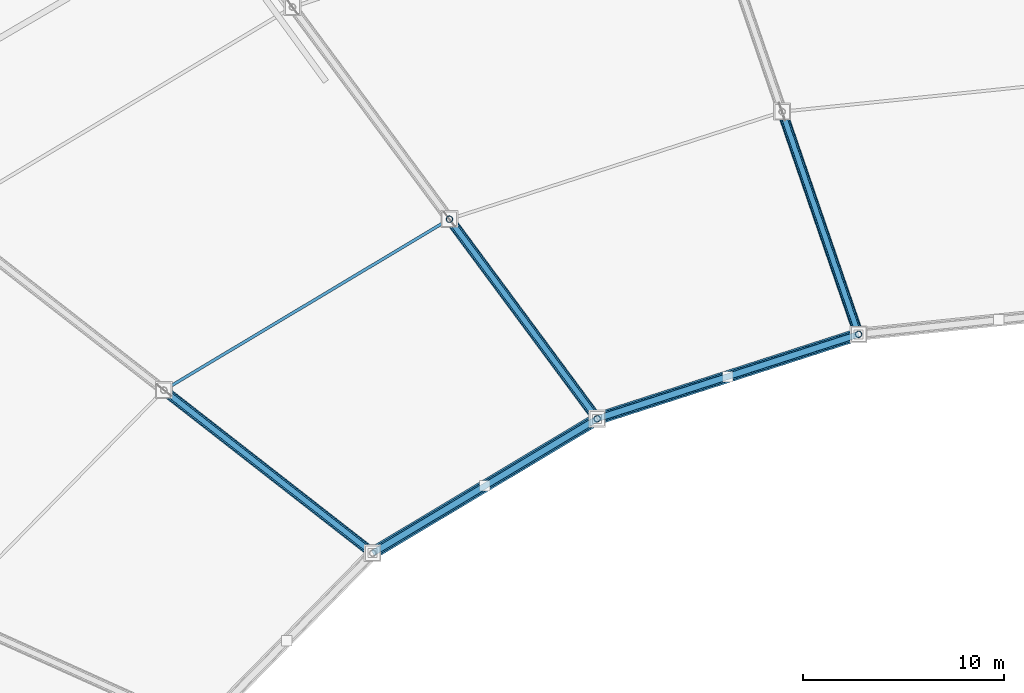
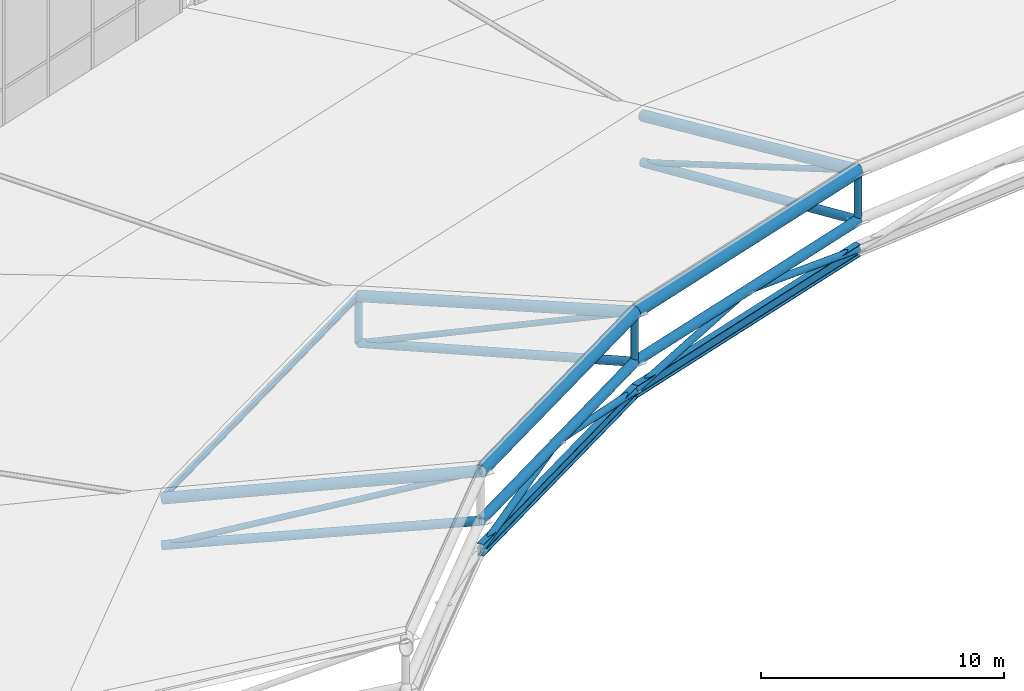
# One storey, part 32 of 115: 21 members, 2 beams.
"""IFC4 building model written with IfcOpenShell, lengths in metres."""

from ifc_helpers import new_model, si_unit, direction, frame, origin, origin_2d, place, context, subcontext, project, spatial, hollow_circle, i_section, extrude, material, material_profile, profile_set, type_object, element, save


model = new_model("IFC4")

# Units and contexts
model_context = context("Model", 3, precision=1e-05, world=origin(), true_north=direction((0.0, 1.0)))
body_context = subcontext(model_context, "Body", "Model", "MODEL_VIEW")
ifc_project = project(units=[si_unit("LENGTHUNIT", "METRE"), si_unit("AREAUNIT", "SQUARE_METRE"), si_unit("VOLUMEUNIT", "CUBIC_METRE"), si_unit("PLANEANGLEUNIT", "RADIAN"), si_unit("MASSUNIT", "GRAM", prefix="KILO")], contexts=[model_context])

# Site, building, storey
site_placement = place(None, origin())
site = spatial("IfcSite", under=ifc_project, at=site_placement, CompositionType="ELEMENT")
building_placement = place(site_placement, origin())
building = spatial("IfcBuilding", under=site, at=building_placement, Name="Zlatoyarsky Gate Stadium", CompositionType="ELEMENT")
storey_placement = place(building_placement, frame((0.0, 0.0, 31.800048828125)))
storey = spatial("IfcBuildingStorey", under=building, at=storey_placement, Name="RF", CompositionType="ELEMENT", Elevation=31.800048828125)

# Members
ifc_material = material(Name="Steel S355", Category="steel")
ifc_material_profile_1 = material_profile(ifc_material, hollow_circle(Radius=0.228515625, WallThickness=0.02490234375, at=origin_2d()), Name="CHS 457X25")
ifc_profile_set_1 = profile_set([ifc_material_profile_1], Name="Steel S355")
member_type_1 = type_object("IfcMemberType", Name="STEEL ARCH BOTTOM CHORD CHS 457X25", PredefinedType="CHORD", material=ifc_profile_set_1)
member_1_placement = place(storey_placement, frame((97.02001953125, 120.69921875, 6.449951171875), z_axis=(-0.951563800973, -0.307451350098, 0.0), x_axis=(0.307451350098, -0.951563800973, 0.0)))
element("IfcMember", 1, at=member_1_placement, inside=storey, type_object=member_type_1, Name="Inner tension ring bottom chord 07", PredefinedType="CHORD", context=body_context, shape_type="SweptSolid", body=[
    extrude(hollow_circle(Radius=0.228515625, WallThickness=0.02490234375, at=origin_2d()), origin(), (0.0, 0.0, 1.0), 13.690673828125),
])
member_2_placement = place(storey_placement, frame((83.992431640625, 116.489990234375, 6.449951171875), z_axis=(-0.85803439637, -0.513592226037, 0.0), x_axis=(0.513592226037, -0.85803439637, 0.0)))
element("IfcMember", 2, at=member_2_placement, inside=storey, type_object=member_type_1, Name="Inner tension ring bottom chord 08", PredefinedType="CHORD", context=body_context, shape_type="SweptSolid", body=[
    extrude(hollow_circle(Radius=0.228515625, WallThickness=0.02490234375, at=origin_2d()), origin(), (0.0, 0.0, 1.0), 13.03759765625),
])
ifc_material_profile_2 = material_profile(ifc_material, hollow_circle(Radius=0.203125, WallThickness=0.02001953125, at=origin_2d()), Name="CHS 406.4X20")
ifc_profile_set_2 = profile_set([ifc_material_profile_2], Name="Steel S355")
member_type_2 = type_object("IfcMemberType", Name="STEEL ARCH INNER CHORD CHS 406.4X20", PredefinedType="CHORD", material=ifc_profile_set_2)
member_3_placement = place(storey_placement, frame((93.208984375, 131.79345703125, 3.949951171875), z_axis=(0.317745051652, -0.924982103597, 0.208437497048), x_axis=(0.945754959233, 0.32488083521, 0.0)))
element("IfcMember", 3, at=member_3_placement, inside=storey, type_object=member_type_2, Name="Radial truss R08 bottom chord 3", PredefinedType="CHORD", context=body_context, shape_type="SweptSolid", body=[
    extrude(hollow_circle(Radius=0.203125, WallThickness=0.02001953125, at=origin_2d()), origin(), (0.0, 0.0, 1.0), 11.993896484375),
])
member_4_placement = place(storey_placement, frame((76.630615234375, 126.436767578125, 3.949951171875), z_axis=(0.583124971914, -0.787878145709, 0.198023469934), x_axis=(0.803795483577, 0.594905724112, 0.0)))
element("IfcMember", 4, at=member_4_placement, inside=storey, type_object=member_type_2, Name="Radial truss R09 bottom chord 3", PredefinedType="CHORD", context=body_context, shape_type="SweptSolid", body=[
    extrude(hollow_circle(Radius=0.203125, WallThickness=0.02001953125, at=origin_2d()), origin(), (0.0, 0.0, 1.0), 12.624755859375),
])
member_5_placement = place(storey_placement, frame((62.394287109375, 117.91552734375, 3.949951171875), z_axis=(0.774713357375, -0.604329101804, 0.186025671932), x_axis=(0.615065134986, 0.788476302576, 0.0)))
element("IfcMember", 5, at=member_5_placement, inside=storey, type_object=member_type_2, Name="Radial truss R10 bottom chord 3", PredefinedType="CHORD", context=body_context, shape_type="SweptSolid", body=[
    extrude(hollow_circle(Radius=0.203125, WallThickness=0.02001953125, at=origin_2d()), origin(), (0.0, 0.0, 1.0), 13.43896484375),
])
ifc_material_profile_3 = material_profile(ifc_material, hollow_circle(Radius=0.25390625, WallThickness=0.02490234375, at=origin_2d()), Name="CHS 508X25")
ifc_profile_set_3 = profile_set([ifc_material_profile_3], Name="Steel S355")
member_type_3 = type_object("IfcMemberType", Name="STEEL ARCH TOP CHORD CHS 508X25", PredefinedType="CHORD", material=ifc_profile_set_3)
member_6_placement = place(storey_placement, frame((93.208984375, 131.79345703125, 6.300048828125), z_axis=(0.316895901971, -0.922510158704, 0.220345171044), x_axis=(0.945754959233, 0.32488083521, 0.0)))
element("IfcMember", 6, at=member_6_placement, inside=storey, type_object=member_type_3, Name="Radial truss R08 top chord 3", PredefinedType="CHORD", context=body_context, shape_type="SweptSolid", body=[
    extrude(hollow_circle(Radius=0.25390625, WallThickness=0.02490234375, at=origin_2d()), origin(), (0.0, 0.0, 1.0), 12.026123046875),
])
member_7_placement = place(storey_placement, frame((76.630615234375, 126.436767578125, 6.300048828125), z_axis=(0.581717893715, -0.785976998931, 0.209390661882), x_axis=(0.803795483577, 0.594905724112, 0.0)))
element("IfcMember", 7, at=member_7_placement, inside=storey, type_object=member_type_3, Name="Radial truss R09 top chord 3", PredefinedType="CHORD", context=body_context, shape_type="SweptSolid", body=[
    extrude(hollow_circle(Radius=0.25390625, WallThickness=0.02490234375, at=origin_2d()), origin(), (0.0, 0.0, 1.0), 12.6552734375),
])
member_8_placement = place(storey_placement, frame((62.394287109375, 117.91552734375, 6.300048828125), z_axis=(0.773062936618, -0.60304166138, 0.196759880738), x_axis=(0.615065134986, 0.788476302576, 0.0)))
element("IfcMember", 8, at=member_8_placement, inside=storey, type_object=member_type_3, Name="Radial truss R10 top chord 3", PredefinedType="CHORD", context=body_context, shape_type="SweptSolid", body=[
    extrude(hollow_circle(Radius=0.25390625, WallThickness=0.02490234375, at=origin_2d()), origin(), (0.0, 0.0, 1.0), 13.4677734375),
])
ifc_material_profile_4 = material_profile(ifc_material, i_section(OverallWidth=0.14990234375, OverallDepth=0.300048828125, WebThickness=0.007080078125, FlangeThickness=0.0107421875, FilletRadius=0.014892578125, at=origin_2d()), Name="IPE 300")
ifc_profile_set_4 = profile_set([ifc_material_profile_4], Name="Steel S355")
member_type_4 = type_object("IfcMemberType", Name="STEEL BOWL ROOF PURLIN IPE 300", PredefinedType="PURLIN", material=ifc_profile_set_4)
member_9_placement = place(storey_placement, frame((76.630615234375, 126.436767578125, 6.329833984375), z_axis=(-0.858039046715, -0.513584456844, 0.0), x_axis=(0.513584456844, -0.858039046715, 0.0)))
element("IfcMember", 9, at=member_9_placement, inside=storey, type_object=member_type_4, Name="Stadium roof purlin 08.2", PredefinedType="PURLIN", context=body_context, shape_type="SweptSolid", body=[
    extrude(i_section(OverallWidth=0.14990234375, OverallDepth=0.300048828125, WebThickness=0.007080078125, FlangeThickness=0.0107421875, FilletRadius=0.014892578125, at=origin_2d()), origin(), (0.0, 0.0, 1.0), 16.591796875),
])

# Beams
ifc_material_profile_5 = material_profile(ifc_material, i_section(OverallWidth=0.300048828125, OverallDepth=0.60009765625, WebThickness=0.015380859375, FlangeThickness=0.030029296875, FilletRadius=0.027099609375, at=origin_2d()), Name="HEB 600")
ifc_profile_set_5 = profile_set([ifc_material_profile_5], Name="Steel S355")
beam_type = type_object("IfcBeamType", Name="STEEL INNER CATWALK RING BEAM HEB 600", PredefinedType="USERDEFINED", material=ifc_profile_set_5)
beam_1_placement = place(storey_placement, frame((97.02001953125, 120.69921875, 5.0), z_axis=(-0.951563800973, -0.307451350098, 0.0), x_axis=(0.307451350098, -0.951563800973, 0.0)))
element("IfcBeam", 10, at=beam_1_placement, inside=storey, type_object=beam_type, Name="Inner lighting catwalk ring beam 07", ObjectType="RING BEAM", PredefinedType="USERDEFINED", context=body_context, shape_type="SweptSolid", body=[
    extrude(i_section(OverallWidth=0.300048828125, OverallDepth=0.60009765625, WebThickness=0.015380859375, FlangeThickness=0.030029296875, FilletRadius=0.027099609375, at=origin_2d()), origin(), (0.0, 0.0, 1.0), 13.690673828125),
])
beam_2_placement = place(storey_placement, frame((83.992431640625, 116.489990234375, 5.0), z_axis=(-0.85803439637, -0.513592226037, 0.0), x_axis=(0.513592226037, -0.85803439637, 0.0)))
element("IfcBeam", 11, at=beam_2_placement, inside=storey, type_object=beam_type, Name="Inner lighting catwalk ring beam 08", ObjectType="RING BEAM", PredefinedType="USERDEFINED", context=body_context, shape_type="SweptSolid", body=[
    extrude(i_section(OverallWidth=0.300048828125, OverallDepth=0.60009765625, WebThickness=0.015380859375, FlangeThickness=0.030029296875, FilletRadius=0.027099609375, at=origin_2d()), origin(), (0.0, 0.0, 1.0), 13.03759765625),
])

# Members
ifc_material_profile_6 = material_profile(ifc_material, hollow_circle(Radius=0.136474609375, WallThickness=0.01611328125, at=origin_2d()), Name="CHS 273X16")
ifc_profile_set_6 = profile_set([ifc_material_profile_6], Name="Steel S355")
member_type_5 = type_object("IfcMemberType", Name="STEEL ROOF TRUSS DIAGONAL CHS 273X16", PredefinedType="BRACE", material=ifc_profile_set_6)
member_10_placement = place(storey_placement, frame((93.208984375, 131.79345703125, 3.949951171875), z_axis=(0.298864631367, -0.870019639883, 0.392104269724), x_axis=(0.945754959233, 0.32488083521, 0.0)))
element("IfcMember", 12, at=member_10_placement, inside=storey, type_object=member_type_5, Name="Radial truss R08 web diagonal 3", PredefinedType="BRACE", context=body_context, shape_type="SweptSolid", body=[
    extrude(hollow_circle(Radius=0.136474609375, WallThickness=0.01611328125, at=origin_2d()), origin(), (0.0, 0.0, 1.0), 12.751708984375),
])
member_11_placement = place(storey_placement, frame((76.630615234375, 126.436767578125, 3.949951171875), z_axis=(0.551582773686, -0.745260508241, 0.374624103107), x_axis=(0.803795483577, 0.594905724112, 0.0)))
element("IfcMember", 13, at=member_11_placement, inside=storey, type_object=member_type_5, Name="Radial truss R09 web diagonal 3", PredefinedType="BRACE", context=body_context, shape_type="SweptSolid", body=[
    extrude(hollow_circle(Radius=0.136474609375, WallThickness=0.01611328125, at=origin_2d()), origin(), (0.0, 0.0, 1.0), 13.3466796875),
])
member_12_placement = place(storey_placement, frame((62.394287109375, 117.91552734375, 3.949951171875), z_axis=(0.737382070164, -0.575208159129, 0.354123221877), x_axis=(0.615065134986, 0.788476302576, 0.0)))
element("IfcMember", 14, at=member_12_placement, inside=storey, type_object=member_type_5, Name="Radial truss R10 web diagonal 3", PredefinedType="BRACE", context=body_context, shape_type="SweptSolid", body=[
    extrude(hollow_circle(Radius=0.136474609375, WallThickness=0.01611328125, at=origin_2d()), origin(), (0.0, 0.0, 1.0), 14.119384765625),
])
ifc_material_profile_7 = material_profile(ifc_material, hollow_circle(Radius=0.304931640625, WallThickness=0.030029296875, at=origin_2d()), Name="CHS 610X30")
ifc_profile_set_7 = profile_set([ifc_material_profile_7], Name="Steel S355")
member_type_6 = type_object("IfcMemberType", Name="STEEL TENSION RING CHORD CHS 610X30", PredefinedType="CHORD", material=ifc_profile_set_7)
member_13_placement = place(storey_placement, frame((97.02001953125, 120.69921875, 8.949951171875), z_axis=(-0.951563800973, -0.307451350098, 0.0), x_axis=(0.307451350098, -0.951563800973, 0.0)))
element("IfcMember", 15, at=member_13_placement, inside=storey, type_object=member_type_6, Name="Inner tension ring top chord 07", PredefinedType="CHORD", context=body_context, shape_type="SweptSolid", body=[
    extrude(hollow_circle(Radius=0.304931640625, WallThickness=0.030029296875, at=origin_2d()), origin(), (0.0, 0.0, 1.0), 13.690673828125),
])
member_14_placement = place(storey_placement, frame((83.992431640625, 116.489990234375, 8.949951171875), z_axis=(-0.85803439637, -0.513592226037, 0.0), x_axis=(0.513592226037, -0.85803439637, 0.0)))
element("IfcMember", 16, at=member_14_placement, inside=storey, type_object=member_type_6, Name="Inner tension ring top chord 08", PredefinedType="CHORD", context=body_context, shape_type="SweptSolid", body=[
    extrude(hollow_circle(Radius=0.304931640625, WallThickness=0.030029296875, at=origin_2d()), origin(), (0.0, 0.0, 1.0), 13.03759765625),
])
ifc_material_profile_8 = material_profile(ifc_material, hollow_circle(Radius=0.161865234375, WallThickness=0.01611328125, at=origin_2d()), Name="CHS 323.9X16")
ifc_profile_set_8 = profile_set([ifc_material_profile_8], Name="Steel S355")
member_type_7 = type_object("IfcMemberType", Name="STEEL TRUSS WEB STRUT CHS 323.9X16", PredefinedType="STRUT", material=ifc_profile_set_8)
member_15_placement = place(storey_placement, frame((97.02001953125, 120.69921875, 6.449951171875), z_axis=(0.0, 0.0, 1.0), x_axis=(1.0, 0.0, 0.0)))
element("IfcMember", 17, at=member_15_placement, inside=storey, type_object=member_type_7, Name="Radial truss R08 web strut 3", PredefinedType="STRUT", context=body_context, shape_type="SweptSolid", body=[
    extrude(hollow_circle(Radius=0.161865234375, WallThickness=0.01611328125, at=origin_2d()), origin(), (0.0, 0.0, 1.0), 2.5),
])
member_16_placement = place(storey_placement, frame((97.02001953125, 120.69921875, 5.0), z_axis=(-0.93090739616, -0.300789050721, 0.207213336299), x_axis=(0.307462279666, -0.951560269548, 0.0)))
element("IfcMember", 18, at=member_16_placement, inside=storey, type_object=member_type_7, Name="Catwalk V-hanger strut 07A", PredefinedType="STRUT", context=body_context, shape_type="SweptSolid", body=[
    extrude(hollow_circle(Radius=0.161865234375, WallThickness=0.01611328125, at=origin_2d()), origin(), (0.0, 0.0, 1.0), 6.997314453125),
])
member_17_placement = place(storey_placement, frame((83.992431640625, 116.489990234375, 5.0), z_axis=(0.930912510858, 0.300767085592, 0.207222241454), x_axis=(-0.307440419999, 0.951567332432, 0.0)))
element("IfcMember", 19, at=member_17_placement, inside=storey, type_object=member_type_7, Name="Catwalk V-hanger strut 07B", PredefinedType="STRUT", context=body_context, shape_type="SweptSolid", body=[
    extrude(hollow_circle(Radius=0.161865234375, WallThickness=0.01611328125, at=origin_2d()), origin(), (0.0, 0.0, 1.0), 6.9970703125),
])
member_18_placement = place(storey_placement, frame((76.630615234375, 126.436767578125, 3.949951171875), z_axis=(0.0, 0.0, 1.0), x_axis=(1.0, 0.0, 0.0)))
element("IfcMember", 20, at=member_18_placement, inside=storey, type_object=member_type_7, Name="Radial truss R09 web strut 2", PredefinedType="STRUT", context=body_context, shape_type="SweptSolid", body=[
    extrude(hollow_circle(Radius=0.161865234375, WallThickness=0.01611328125, at=origin_2d()), origin(), (0.0, 0.0, 1.0), 2.35009765625),
])
member_19_placement = place(storey_placement, frame((83.992431640625, 116.489990234375, 6.449951171875), z_axis=(0.0, 0.0, 1.0), x_axis=(1.0, 0.0, 0.0)))
element("IfcMember", 21, at=member_19_placement, inside=storey, type_object=member_type_7, Name="Radial truss R09 web strut 3", PredefinedType="STRUT", context=body_context, shape_type="SweptSolid", body=[
    extrude(hollow_circle(Radius=0.161865234375, WallThickness=0.01611328125, at=origin_2d()), origin(), (0.0, 0.0, 1.0), 2.5),
])
member_20_placement = place(storey_placement, frame((83.992431640625, 116.489990234375, 5.0), z_axis=(-0.837552974417, -0.501361915808, 0.217120345485), x_axis=(0.513614264444, -0.858021204493, 0.0)))
element("IfcMember", 22, at=member_20_placement, inside=storey, type_object=member_type_7, Name="Catwalk V-hanger strut 08A", PredefinedType="STRUT", context=body_context, shape_type="SweptSolid", body=[
    extrude(hollow_circle(Radius=0.161865234375, WallThickness=0.01611328125, at=origin_2d()), origin(), (0.0, 0.0, 1.0), 6.677978515625),
])
member_21_placement = place(storey_placement, frame((72.8056640625, 109.7939453125, 5.0), z_axis=(0.837579237404, 0.501319195257, 0.217117676703), x_axis=(-0.513570187575, 0.858047587511, 0.0)))
element("IfcMember", 23, at=member_21_placement, inside=storey, type_object=member_type_7, Name="Catwalk V-hanger strut 08B", PredefinedType="STRUT", context=body_context, shape_type="SweptSolid", body=[
    extrude(hollow_circle(Radius=0.161865234375, WallThickness=0.01611328125, at=origin_2d()), origin(), (0.0, 0.0, 1.0), 6.67822265625),
])

save(model, "model.ifc")
